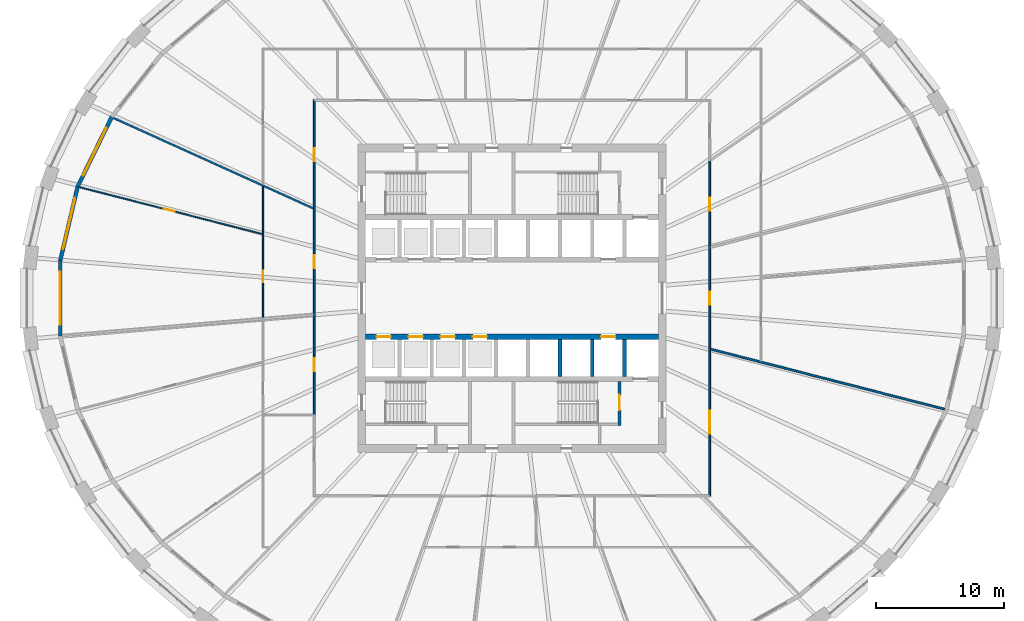
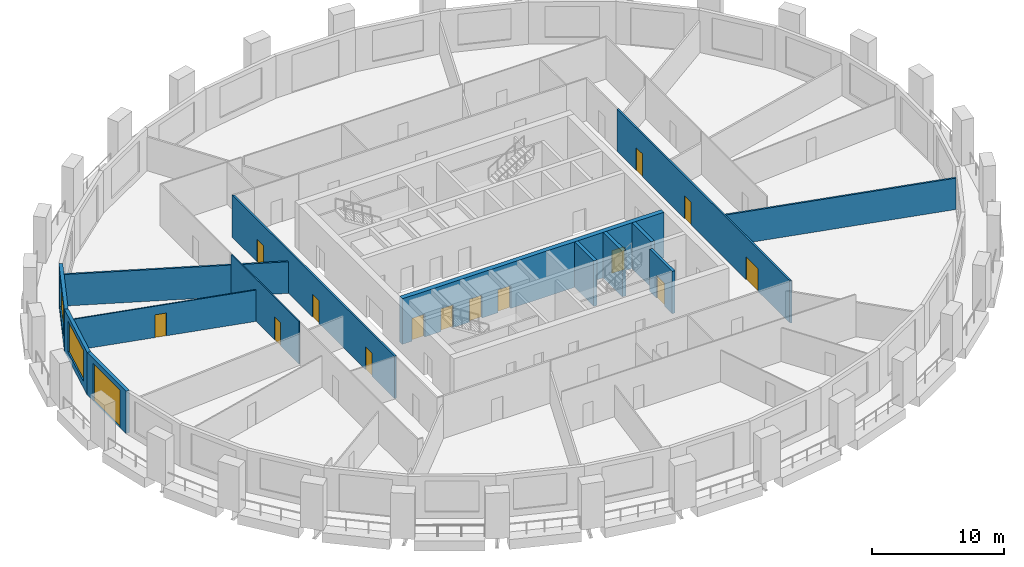
# One storey, part 5 of 12: 15 doors, 14 walls, 2 windows, 17 openings.
"""IFC4 building model written with IfcOpenShell, lengths in metres."""

from ifc_helpers import new_model, si_unit, direction, frame, frame_2d, origin, place, context, subcontext, project, spatial, polyline, rectangle, outline, extrude, material, layer, layer_set, type_object, element, fill, save


model = new_model("IFC4")

# Units and contexts
model_context = context("Model", 3, precision=1e-05, world=origin(), true_north=direction((0.0, 1.0)))
body_context = subcontext(model_context, "Body", "Model", "MODEL_VIEW")
ifc_project = project(units=[si_unit("LENGTHUNIT", "METRE"), si_unit("AREAUNIT", "SQUARE_METRE"), si_unit("VOLUMEUNIT", "CUBIC_METRE"), si_unit("PLANEANGLEUNIT", "RADIAN"), si_unit("MASSUNIT", "GRAM", prefix="KILO")], contexts=[model_context])

# Site, building, storey
site_placement = place(None, origin())
site = spatial("IfcSite", under=ifc_project, at=site_placement, CompositionType="ELEMENT")
building_placement = place(site_placement, origin())
building = spatial("IfcBuilding", under=site, at=building_placement, Name="Halqa Exchange Tower", CompositionType="ELEMENT")
storey_placement = place(building_placement, frame((0.0, 0.0, 31.89990234375)))
storey = spatial("IfcBuildingStorey", under=building, at=storey_placement, Name="L06", CompositionType="ELEMENT", Elevation=31.89990234375)

# Wall
ifc_material_1 = material(Name="Fire-rated gypsum board")
ifc_layer_1 = layer(ifc_material_1, 0.14990234375)
ifc_layer_set_1 = layer_set([ifc_layer_1], Name="Fire-rated gypsum board")
wall_type_1 = type_object("IfcWallType", Name="Fire partition EI 60 150", PredefinedType="PARTITIONING", material=ifc_layer_set_1)
wall_1_placement = place(storey_placement, frame((-31.04541015625, 14.035888671875, 0.0), z_axis=(0.0, 0.0, 1.0), x_axis=(0.911148076593, -0.412079097407, 0.0)))
element("IfcWall", 1, at=wall_1_placement, inside=storey, type_object=wall_type_1, Name="L06-PWL-001", PredefinedType="PARTITIONING", context=body_context, shape_type="SweptSolid", body=[
    extrude(outline(polyline([(0.0, -0.074951171875), (1.83837890625, -0.074951171875), (3.676513671875, -0.074951171875), (5.514892578125, -0.074951171875), (7.35302734375, -0.074951171875), (9.19140625, -0.074951171875), (11.029541015625, -0.074951171875), (12.867919921875, -0.074951171875), (12.869384765625, -0.07421875), (12.869873046875, -0.074951171875), (14.287353515625, -0.074951171875), (15.705078125, -0.074951171875), (17.12255859375, -0.074951171875), (17.106201171875, -0.038330078125), (17.106201171875, -0.038330078125), (17.054931640625, 0.074951171875), (15.601806640625, 0.074951171875), (14.14892578125, 0.074951171875), (12.69580078125, 0.074951171875), (12.69287109375, 0.07373046875), (12.692138671875, 0.074951171875), (10.882080078125, 0.074951171875), (9.072021484375, 0.074951171875), (7.26171875, 0.074951171875), (5.45166015625, 0.074951171875), (3.6416015625, 0.074951171875), (1.831298828125, 0.074951171875), (0.021240234375, 0.074951171875), (0.00244140625, -0.0009765625), (0.0, -0.074951171875)])), origin(), (0.0, 0.0, 1.0), 2.91015625),
])

# Wall, openings, doors
wall_2_placement = place(storey_placement, frame((-15.39990234375, -9.090087890625, 0.0), z_axis=(0.0, 0.0, 1.0), x_axis=(0.0, 1.0, 0.0)))
wall_2 = element("IfcWall", 2, at=wall_2_placement, inside=storey, type_object=wall_type_1, Name="L06-PWL-015", PredefinedType="PARTITIONING", context=body_context, shape_type="SweptSolid", body=[
    extrude(outline(polyline([(0.0, -0.074951171875), (1.878173828125, -0.074951171875), (3.756103515625, -0.074951171875), (5.63427734375, -0.074951171875), (7.51220703125, -0.074951171875), (9.390380859375, -0.074951171875), (11.2685546875, -0.074951171875), (13.146484375, -0.074951171875), (15.024658203125, -0.074951171875), (16.90283203125, -0.074951171875), (18.78076171875, -0.074951171875), (20.658935546875, -0.074951171875), (22.536865234375, -0.074951171875), (24.4150390625, -0.074951171875), (24.56494140625, 0.074951171875), (22.67529296875, 0.074951171875), (20.78564453125, 0.074951171875), (18.89599609375, 0.074951171875), (17.006591796875, 0.074951171875), (15.116943359375, 0.074951171875), (13.227294921875, 0.074951171875), (11.337646484375, 0.074951171875), (9.447998046875, 0.074951171875), (7.558349609375, 0.074951171875), (5.6689453125, 0.074951171875), (3.779296875, 0.074951171875), (1.8896484375, 0.074951171875), (0.0, 0.074951171875), (0.0, -0.074951171875)])), origin(), (0.0, 0.0, 1.0), 3.900146484375),
])
opening_1_placement = place(wall_2_placement, frame((19.77001953125, 0.0, 0.0)))
opening_1 = element("IfcOpeningElement", 3, at=opening_1_placement, cuts=wall_2, Name="Opening 01-08", PredefinedType="OPENING", context=body_context, shape_type="SweptSolid", body=[
    extrude(rectangle(XDim=1.0, YDim=2.10009765625, at=frame_2d((0.5, 1.050048828125))), frame((0.0, 0.0869140625, 0.0), z_axis=(0.0, -1.0, 0.0), x_axis=(1.0, 0.0, 0.0)), (0.0, 0.0, 1.0), 0.173828125),
])
opening_2_placement = place(wall_2_placement, frame((11.429931640625, 0.0, 0.0)))
opening_2 = element("IfcOpeningElement", 4, at=opening_2_placement, cuts=wall_2, Name="Opening 01-10", PredefinedType="OPENING", context=body_context, shape_type="SweptSolid", body=[
    extrude(rectangle(XDim=1.0, YDim=2.10009765625, at=frame_2d((0.5, 1.050048828125))), frame((0.0, 0.0869140625, 0.0), z_axis=(0.0, -1.0, 0.0), x_axis=(1.0, 0.0, 0.0)), (0.0, 0.0, 1.0), 0.173828125),
])
opening_3_placement = place(wall_2_placement, frame((3.405029296875, 0.0, 0.0)))
opening_3 = element("IfcOpeningElement", 5, at=opening_3_placement, cuts=wall_2, Name="Opening 01-12", PredefinedType="OPENING", context=body_context, shape_type="SweptSolid", body=[
    extrude(rectangle(XDim=1.0, YDim=2.10009765625, at=frame_2d((0.5, 1.050048828125))), frame((0.0, 0.0869140625, 0.0), z_axis=(0.0, -1.0, 0.0), x_axis=(1.0, 0.0, 0.0)), (0.0, 0.0, 1.0), 0.173828125),
])
ifc_material_2 = material(Name="Steel fire door leaf", Category="steel")
door_type_1 = type_object("IfcDoorType", Name="Fire door FD30S 1000 x 2100", OperationType="SINGLE_SWING_LEFT", PredefinedType="DOOR", material=ifc_material_2)
door_1_placement = place(opening_1_placement, origin())
door_1 = element("IfcDoor", 6, at=door_1_placement, inside=storey, type_object=door_type_1, Name="L06-IDR-008", OperationType="SINGLE_SWING_RIGHT", OverallHeight=2.10009765625, OverallWidth=1.0, PredefinedType="DOOR", context=body_context, shape_type="SweptSolid", body=[
    extrude(rectangle(XDim=1.0, YDim=2.10009765625, at=frame_2d((0.5, 1.050048828125))), frame((0.0, 0.02490234375, 0.0), z_axis=(0.0, -1.0, 0.0), x_axis=(1.0, 0.0, 0.0)), (0.0, 0.0, 1.0), 0.050048828125),
])
fill(opening_1, door_1)
door_2_placement = place(opening_2_placement, origin())
door_2 = element("IfcDoor", 7, at=door_2_placement, inside=storey, type_object=door_type_1, Name="L06-IDR-010", OperationType="SINGLE_SWING_RIGHT", OverallHeight=2.10009765625, OverallWidth=1.0, PredefinedType="DOOR", context=body_context, shape_type="SweptSolid", body=[
    extrude(rectangle(XDim=1.0, YDim=2.10009765625, at=frame_2d((0.5, 1.050048828125))), frame((0.0, 0.02490234375, 0.0), z_axis=(0.0, -1.0, 0.0), x_axis=(1.0, 0.0, 0.0)), (0.0, 0.0, 1.0), 0.050048828125),
])
fill(opening_2, door_2)
door_3_placement = place(opening_3_placement, origin())
door_3 = element("IfcDoor", 8, at=door_3_placement, inside=storey, type_object=door_type_1, Name="L06-IDR-012", OperationType="SINGLE_SWING_RIGHT", OverallHeight=2.10009765625, OverallWidth=1.0, PredefinedType="DOOR", context=body_context, shape_type="SweptSolid", body=[
    extrude(rectangle(XDim=1.0, YDim=2.10009765625, at=frame_2d((0.5, 1.050048828125))), frame((0.0, 0.02490234375, 0.0), z_axis=(0.0, -1.0, 0.0), x_axis=(1.0, 0.0, 0.0)), (0.0, 0.0, 1.0), 0.050048828125),
])
fill(opening_3, door_3)

wall_3_placement = place(storey_placement, frame((15.39990234375, -15.47509765625, 0.0), z_axis=(0.0, 0.0, 1.0), x_axis=(0.0, 1.0, 0.0)))
wall_3 = element("IfcWall", 9, at=wall_3_placement, inside=storey, type_object=wall_type_1, Name="L06-PWL-039", PredefinedType="PARTITIONING", context=body_context, shape_type="SweptSolid", body=[
    extrude(outline(polyline([(26.1650390625, 0.074951171875), (24.306884765625, 0.074951171875), (22.44873046875, 0.074951171875), (20.59033203125, 0.074951171875), (18.732177734375, 0.074951171875), (16.8740234375, 0.074951171875), (15.015869140625, 0.074951171875), (13.15771484375, 0.074951171875), (11.29931640625, 0.074951171875), (9.441162109375, 0.074951171875), (7.5830078125, 0.074951171875), (5.724853515625, 0.074951171875), (3.866455078125, 0.074951171875), (2.00830078125, 0.074951171875), (0.150146484375, 0.074951171875), (0.000244140625, -0.074951171875), (1.869140625, -0.074951171875), (3.738037109375, -0.074951171875), (5.60693359375, -0.074951171875), (7.475830078125, -0.074951171875), (9.3447265625, -0.074951171875), (11.213623046875, -0.074951171875), (13.08251953125, -0.074951171875), (14.95166015625, -0.074951171875), (16.820556640625, -0.074951171875), (18.689453125, -0.074951171875), (20.558349609375, -0.074951171875), (22.42724609375, -0.074951171875), (24.296142578125, -0.074951171875), (26.1650390625, -0.074951171875), (26.1650390625, 0.074951171875)])), origin(), (0.0, 0.0, 1.0), 3.900146484375),
])
opening_4_placement = place(wall_3_placement, frame((4.89990234375, 0.0, 0.0)))
opening_4 = element("IfcOpeningElement", 10, at=opening_4_placement, cuts=wall_3, Name="Opening 01-01", PredefinedType="OPENING", context=body_context, shape_type="SweptSolid", body=[
    extrude(rectangle(XDim=1.800048828125, YDim=2.10009765625, at=frame_2d((0.89990234375, 1.050048828125))), frame((0.0, 0.0869140625, 0.0), z_axis=(0.0, -1.0, 0.0), x_axis=(1.0, 0.0, 0.0)), (0.0, 0.0, 1.0), 0.173828125),
])
opening_5_placement = place(wall_3_placement, frame((14.97509765625, 0.0, 0.0)))
opening_5 = element("IfcOpeningElement", 11, at=opening_5_placement, cuts=wall_3, Name="Opening 01-02", PredefinedType="OPENING", context=body_context, shape_type="SweptSolid", body=[
    extrude(rectangle(XDim=1.0, YDim=2.10009765625, at=frame_2d((0.5, 1.050048828125))), frame((0.0, 0.0869140625, 0.0), z_axis=(0.0, -1.0, 0.0), x_axis=(1.0, 0.0, 0.0)), (0.0, 0.0, 1.0), 0.173828125),
])
opening_6_placement = place(wall_3_placement, frame((22.294921875, 0.0, 0.0)))
opening_6 = element("IfcOpeningElement", 12, at=opening_6_placement, cuts=wall_3, Name="Opening 01-03", PredefinedType="OPENING", context=body_context, shape_type="SweptSolid", body=[
    extrude(rectangle(XDim=1.0, YDim=2.10009765625, at=frame_2d((0.5, 1.050048828125))), frame((0.0, 0.0869140625, 0.0), z_axis=(0.0, -1.0, 0.0), x_axis=(1.0, 0.0, 0.0)), (0.0, 0.0, 1.0), 0.173828125),
])
door_4_placement = place(opening_5_placement, frame((1.0, 0.0, 0.0), z_axis=(0.0, 0.0, 1.0), x_axis=(-1.0, 0.0, 0.0)))
door_4 = element("IfcDoor", 13, at=door_4_placement, inside=storey, type_object=door_type_1, Name="L06-IDR-002", OperationType="SINGLE_SWING_RIGHT", OverallHeight=2.10009765625, OverallWidth=1.0, PredefinedType="DOOR", context=body_context, shape_type="SweptSolid", body=[
    extrude(rectangle(XDim=1.0, YDim=2.10009765625, at=frame_2d((0.5, 1.050048828125))), frame((0.0, 0.02490234375, 0.0), z_axis=(0.0, -1.0, 0.0), x_axis=(1.0, 0.0, 0.0)), (0.0, 0.0, 1.0), 0.050048828125),
])
fill(opening_5, door_4)
door_5_placement = place(opening_6_placement, frame((1.0, 0.0, 0.0), z_axis=(0.0, 0.0, 1.0), x_axis=(-1.0, 0.0, 0.0)))
door_5 = element("IfcDoor", 14, at=door_5_placement, inside=storey, type_object=door_type_1, Name="L06-IDR-003", OperationType="SINGLE_SWING_RIGHT", OverallHeight=2.10009765625, OverallWidth=1.0, PredefinedType="DOOR", context=body_context, shape_type="SweptSolid", body=[
    extrude(rectangle(XDim=1.0, YDim=2.10009765625, at=frame_2d((0.5, 1.050048828125))), frame((0.0, 0.02490234375, 0.0), z_axis=(0.0, -1.0, 0.0), x_axis=(1.0, 0.0, 0.0)), (0.0, 0.0, 1.0), 0.050048828125),
])
fill(opening_6, door_5)
door_type_2 = type_object("IfcDoorType", Name="Fire door FD30S double 1800 x 2100", OperationType="DOUBLE_DOOR_SINGLE_SWING", PredefinedType="DOOR", material=ifc_material_2)
door_6_placement = place(opening_4_placement, frame((1.800048828125, 0.0, 0.0), z_axis=(0.0, 0.0, 1.0), x_axis=(-1.0, 0.0, 0.0)))
door_6 = element("IfcDoor", 15, at=door_6_placement, inside=storey, type_object=door_type_2, Name="L06-IDR-001", OperationType="DOUBLE_DOOR_SINGLE_SWING", OverallHeight=2.10009765625, OverallWidth=1.800048828125, PredefinedType="DOOR", context=body_context, shape_type="SweptSolid", body=[
    extrude(rectangle(XDim=1.800048828125, YDim=2.10009765625, at=frame_2d((0.89990234375, 1.050048828125))), frame((0.0, 0.02490234375, 0.0), z_axis=(0.0, -1.0, 0.0), x_axis=(1.0, 0.0, 0.0)), (0.0, 0.0, 1.0), 0.050048828125),
])
fill(opening_4, door_6)

# Wall
wall_4_placement = place(storey_placement, frame((15.456787109375, -3.964599609375, 0.0), z_axis=(0.0, 0.0, 1.0), x_axis=(0.968588981289, -0.248667218036, 0.0)))
element("IfcWall", 16, at=wall_4_placement, inside=storey, type_object=wall_type_1, Name="L06-PWL-040", PredefinedType="PARTITIONING", context=body_context, shape_type="SweptSolid", body=[
    extrude(outline(polyline([(0.0380859375, -0.074951171875), (1.91455078125, -0.074951171875), (3.790771484375, -0.074951171875), (5.667236328125, -0.074951171875), (7.543701171875, -0.074951171875), (9.420166015625, -0.074951171875), (11.296630859375, -0.074951171875), (13.1728515625, -0.074951171875), (15.04931640625, -0.074951171875), (16.92578125, -0.074951171875), (18.80224609375, -0.074951171875), (18.816162109375, -0.007568359375), (18.816162109375, 0.074951171875), (16.964599609375, 0.074951171875), (15.113037109375, 0.074951171875), (13.26123046875, 0.074951171875), (11.40966796875, 0.074951171875), (9.55810546875, 0.074951171875), (7.70654296875, 0.074951171875), (5.85498046875, 0.074951171875), (4.00341796875, 0.074951171875), (4.00048828125, 0.07421875), (4.000244140625, 0.074951171875), (2.666748046875, 0.074951171875), (1.33349609375, 0.074951171875), (0.0, 0.074951171875), (0.0, 0.0732421875), (0.0380859375, -0.074951171875)])), origin(), (0.0, 0.0, 1.0), 2.89208984375),
])

# Wall, opening, door
ifc_material_3 = material(Name="Gypsum board")
ifc_layer_2 = layer(ifc_material_3, 0.10009765625)
ifc_layer_set_2 = layer_set([ifc_layer_2], Name="Gypsum board")
wall_type_2 = type_object("IfcWallType", Name="Partition 100 gypsum", PredefinedType="PARTITIONING", material=ifc_layer_set_2)
wall_5_placement = place(storey_placement, frame((-19.39990234375, -1.53857421875, 0.0), z_axis=(0.0, 0.0, 1.0), x_axis=(0.0, 1.0, 0.0)))
wall_5 = element("IfcWall", 17, at=wall_5_placement, inside=storey, type_object=wall_type_2, Name="L06-PWL-008", PredefinedType="PARTITIONING", context=body_context, shape_type="SweptSolid", body=[
    extrude(outline(polyline([(0.008056640625, -0.050048828125), (1.70703125, -0.050048828125), (3.40625, -0.050048828125), (5.105224609375, -0.050048828125), (6.804443359375, -0.050048828125), (8.50341796875, -0.050048828125), (10.20263671875, -0.050048828125), (10.24755859375, 0.04931640625), (10.24755859375, 0.050048828125), (8.415283203125, 0.050048828125), (6.5830078125, 0.050048828125), (6.58251953125, 0.048095703125), (6.575439453125, 0.050048828125), (4.931640625, 0.050048828125), (3.28759765625, 0.050048828125), (1.643798828125, 0.050048828125), (0.0, 0.050048828125), (0.0, 0.046142578125), (0.008056640625, -0.050048828125)])), origin(), (0.0, 0.0, 1.0), 3.900146484375),
])
opening_7_placement = place(wall_5_placement, frame((2.7734375, 0.0, 0.0)))
opening_7 = element("IfcOpeningElement", 18, at=opening_7_placement, cuts=wall_5, Name="Opening 01-23", PredefinedType="OPENING", context=body_context, shape_type="SweptSolid", body=[
    extrude(rectangle(XDim=0.89990234375, YDim=2.10009765625, at=frame_2d((0.449951171875, 1.050048828125))), frame((0.0, 0.06201171875, 0.0), z_axis=(0.0, -1.0, 0.0), x_axis=(1.0, 0.0, 0.0)), (0.0, 0.0, 1.0), 0.1240234375),
])
ifc_material_4 = material(Name="Timber door leaf", Category="wood")
door_type_3 = type_object("IfcDoorType", Name="Door 900 x 2100", OperationType="SINGLE_SWING_LEFT", PredefinedType="DOOR", material=ifc_material_4)
door_7_placement = place(opening_7_placement, frame((0.89990234375, 0.0, 0.0), z_axis=(0.0, 0.0, 1.0), x_axis=(-1.0, 0.0, 0.0)))
door_7 = element("IfcDoor", 19, at=door_7_placement, inside=storey, type_object=door_type_3, Name="L06-IDR-023", OperationType="SINGLE_SWING_LEFT", OverallHeight=2.10009765625, OverallWidth=0.89990234375, PredefinedType="DOOR", context=body_context, shape_type="SweptSolid", body=[
    extrude(rectangle(XDim=0.89990234375, YDim=2.10009765625, at=frame_2d((0.449951171875, 1.050048828125))), frame((0.0, 0.02490234375, 0.0), z_axis=(0.0, -1.0, 0.0), x_axis=(1.0, 0.0, 0.0)), (0.0, 0.0, 1.0), 0.050048828125),
])
fill(opening_7, door_7)

wall_6_placement = place(storey_placement, frame((-19.437744140625, 4.98974609375, 0.0), z_axis=(0.0, 0.0, 1.0), x_axis=(-0.968638974519, 0.248472407007, 0.0)))
wall_6 = element("IfcWall", 20, at=wall_6_placement, inside=storey, type_object=wall_type_2, Name="L06-PWL-009", PredefinedType="PARTITIONING", context=body_context, shape_type="SweptSolid", body=[
    extrude(outline(polyline([(0.025390625, -0.050048828125), (1.859375, -0.050048828125), (3.693359375, -0.050048828125), (5.527099609375, -0.050048828125), (7.361083984375, -0.050048828125), (9.19482421875, -0.050048828125), (11.02880859375, -0.050048828125), (12.862548828125, -0.050048828125), (14.696533203125, -0.050048828125), (14.7060546875, -0.004150390625), (14.7060546875, 0.050048828125), (12.86767578125, 0.050048828125), (11.029541015625, 0.050048828125), (9.19140625, 0.050048828125), (7.35302734375, 0.050048828125), (5.5146484375, 0.050048828125), (3.676513671875, 0.050048828125), (1.83837890625, 0.050048828125), (0.0, 0.050048828125), (0.0, 0.04931640625), (0.025390625, -0.050048828125)])), origin(), (0.0, 0.0, 1.0), 2.89208984375),
])
opening_8_placement = place(wall_6_placement, frame((7.037109375, 0.0, 0.0)))
opening_8 = element("IfcOpeningElement", 21, at=opening_8_placement, cuts=wall_6, Name="Opening 01-24", PredefinedType="OPENING", context=body_context, shape_type="SweptSolid", body=[
    extrude(rectangle(XDim=0.89990234375, YDim=2.10009765625, at=frame_2d((0.449951171875, 1.050048828125))), frame((0.0, 0.06201171875, 0.0), z_axis=(0.0, -1.0, 0.0), x_axis=(1.0, 0.0, 0.0)), (0.0, 0.0, 1.0), 0.1240234375),
])
door_8_placement = place(opening_8_placement, frame((0.89990234375, 0.0, 0.0), z_axis=(0.0, 0.0, 1.0), x_axis=(-1.0, 0.0, 0.0)))
door_8 = element("IfcDoor", 22, at=door_8_placement, inside=storey, type_object=door_type_3, Name="L06-IDR-024", OperationType="SINGLE_SWING_LEFT", OverallHeight=2.10009765625, OverallWidth=0.89990234375, PredefinedType="DOOR", context=body_context, shape_type="SweptSolid", body=[
    extrude(rectangle(XDim=0.89990234375, YDim=2.10009765625, at=frame_2d((0.449951171875, 1.050048828125))), frame((0.0, 0.02490234375, 0.0), z_axis=(0.0, -1.0, 0.0), x_axis=(1.0, 0.0, 0.0)), (0.0, 0.0, 1.0), 0.050048828125),
])
fill(opening_8, door_8)

# Walls
ifc_material_5 = material(Name="Concrete C60/75", Category="concrete")
ifc_layer_3 = layer(ifc_material_5, 0.300048828125)
ifc_layer_set_3 = layer_set([ifc_layer_3], Name="Concrete C60/75")
wall_type_3 = type_object("IfcWallType", Name="RC core wall 300", PredefinedType="SHEAR", material=ifc_layer_set_3)
for number, where, z_axis, x_axis, name in (
    (23, (3.75, -6.10009765625, 0.0), (0.0, 0.0, 1.0), (0.0, 1.0, 0.0), "Shaft divider S6"),
    (24, (6.25, -6.10009765625, 0.0), (0.0, 0.0, 1.0), (0.0, 1.0, 0.0), "Shaft divider S7"),
    (25, (8.75, -6.10009765625, 0.0), (0.0, 0.0, 1.0), (0.0, 1.0, 0.0), "Shaft divider S8"),
):
    element("IfcWall", number, at=place(storey_placement, frame(where, z_axis=z_axis, x_axis=x_axis)), inside=storey, type_object=wall_type_3, Name=name, PredefinedType="SHEAR", context=body_context, shape_type="SweptSolid", body=[
        extrude(rectangle(XDim=2.900146484375, YDim=0.300048828125, at=frame_2d((1.4501953125, 0.0))), origin(), (0.0, 0.0, 1.0), 4.2001953125),
    ])

# Wall, openings, doors
ifc_material_6 = material(Name="Concrete C80/95", Category="concrete")
ifc_layer_4 = layer(ifc_material_6, 0.39990234375)
ifc_layer_set_4 = layer_set([ifc_layer_4], Name="Concrete C80/95")
wall_type_4 = type_object("IfcWallType", Name="RC core wall 400 C80/95", PredefinedType="SHEAR", material=ifc_layer_set_4)
wall_7_placement = place(storey_placement, frame((-11.39990234375, -3.0, 0.0), z_axis=(0.0, 0.0, 1.0), x_axis=(1.0, 0.0, 0.0)))
wall_7 = element("IfcWall", 26, at=wall_7_placement, inside=storey, type_object=wall_type_4, Name="Lift row front wall S", PredefinedType="SHEAR", context=body_context, shape_type="SweptSolid", body=[
    extrude(rectangle(XDim=22.7998046875, YDim=0.39990234375, at=frame_2d((11.39990234375, 0.0))), origin(), (0.0, 0.0, 1.0), 4.2001953125),
])
opening_9_placement = place(wall_7_placement, frame((0.85009765625, 0.0, 0.0)))
opening_9 = element("IfcOpeningElement", 27, at=opening_9_placement, cuts=wall_7, Name="Opening LD-LR5-T01", PredefinedType="OPENING", context=body_context, shape_type="SweptSolid", body=[
    extrude(rectangle(XDim=1.10009765625, YDim=2.10009765625, at=frame_2d((0.550048828125, 1.050048828125))), frame((0.0, 0.2119140625, 0.0), z_axis=(0.0, -1.0, 0.0), x_axis=(1.0, 0.0, 0.0)), (0.0, 0.0, 1.0), 0.423828125),
])
opening_10_placement = place(wall_7_placement, frame((3.35009765625, 0.0, 0.0)))
opening_10 = element("IfcOpeningElement", 28, at=opening_10_placement, cuts=wall_7, Name="Opening LD-LR6-T01", PredefinedType="OPENING", context=body_context, shape_type="SweptSolid", body=[
    extrude(rectangle(XDim=1.10009765625, YDim=2.10009765625, at=frame_2d((0.550048828125, 1.050048828125))), frame((0.0, 0.2119140625, 0.0), z_axis=(0.0, -1.0, 0.0), x_axis=(1.0, 0.0, 0.0)), (0.0, 0.0, 1.0), 0.423828125),
])
opening_11_placement = place(wall_7_placement, frame((5.85009765625, 0.0, 0.0)))
opening_11 = element("IfcOpeningElement", 29, at=opening_11_placement, cuts=wall_7, Name="Opening LD-LR7-T01", PredefinedType="OPENING", context=body_context, shape_type="SweptSolid", body=[
    extrude(rectangle(XDim=1.10009765625, YDim=2.10009765625, at=frame_2d((0.550048828125, 1.050048828125))), frame((0.0, 0.2119140625, 0.0), z_axis=(0.0, -1.0, 0.0), x_axis=(1.0, 0.0, 0.0)), (0.0, 0.0, 1.0), 0.423828125),
])
opening_12_placement = place(wall_7_placement, frame((8.35009765625, 0.0, 0.0)))
opening_12 = element("IfcOpeningElement", 30, at=opening_12_placement, cuts=wall_7, Name="Opening LD-LR8-T01", PredefinedType="OPENING", context=body_context, shape_type="SweptSolid", body=[
    extrude(rectangle(XDim=1.10009765625, YDim=2.10009765625, at=frame_2d((0.550048828125, 1.050048828125))), frame((0.0, 0.2119140625, 0.0), z_axis=(0.0, -1.0, 0.0), x_axis=(1.0, 0.0, 0.0)), (0.0, 0.0, 1.0), 0.423828125),
])
opening_13_placement = place(wall_7_placement, frame((18.35009765625, 0.0, 0.0)))
opening_13 = element("IfcOpeningElement", 31, at=opening_13_placement, cuts=wall_7, Name="Opening LD-SV2-T01", PredefinedType="OPENING", context=body_context, shape_type="SweptSolid", body=[
    extrude(rectangle(XDim=1.10009765625, YDim=2.10009765625, at=frame_2d((0.550048828125, 1.050048828125))), frame((0.0, 0.2119140625, 0.0), z_axis=(0.0, -1.0, 0.0), x_axis=(1.0, 0.0, 0.0)), (0.0, 0.0, 1.0), 0.423828125),
])
ifc_material_7 = material(Name="Stainless steel", Category="steel")
door_type_4 = type_object("IfcDoorType", Name="Lift landing door 1100 x 2100", OperationType="SLIDING_TO_LEFT", PredefinedType="DOOR", material=ifc_material_7)
door_9_placement = place(opening_9_placement, origin())
door_9 = element("IfcDoor", 32, at=door_9_placement, inside=storey, type_object=door_type_4, Name="Lift landing door LR5", OperationType="SLIDING_TO_LEFT", OverallHeight=2.10009765625, OverallWidth=1.10009765625, PredefinedType="DOOR", context=body_context, shape_type="SweptSolid", body=[
    extrude(rectangle(XDim=1.10009765625, YDim=2.10009765625, at=frame_2d((0.550048828125, 1.050048828125))), frame((0.0, 0.02490234375, 0.0), z_axis=(0.0, -1.0, 0.0), x_axis=(1.0, 0.0, 0.0)), (0.0, 0.0, 1.0), 0.050048828125),
])
fill(opening_9, door_9)
door_10_placement = place(opening_10_placement, origin())
door_10 = element("IfcDoor", 33, at=door_10_placement, inside=storey, type_object=door_type_4, Name="Lift landing door LR6", OperationType="SLIDING_TO_LEFT", OverallHeight=2.10009765625, OverallWidth=1.10009765625, PredefinedType="DOOR", context=body_context, shape_type="SweptSolid", body=[
    extrude(rectangle(XDim=1.10009765625, YDim=2.10009765625, at=frame_2d((0.550048828125, 1.050048828125))), frame((0.0, 0.02490234375, 0.0), z_axis=(0.0, -1.0, 0.0), x_axis=(1.0, 0.0, 0.0)), (0.0, 0.0, 1.0), 0.050048828125),
])
fill(opening_10, door_10)
door_11_placement = place(opening_11_placement, origin())
door_11 = element("IfcDoor", 34, at=door_11_placement, inside=storey, type_object=door_type_4, Name="Lift landing door LR7", OperationType="SLIDING_TO_LEFT", OverallHeight=2.10009765625, OverallWidth=1.10009765625, PredefinedType="DOOR", context=body_context, shape_type="SweptSolid", body=[
    extrude(rectangle(XDim=1.10009765625, YDim=2.10009765625, at=frame_2d((0.550048828125, 1.050048828125))), frame((0.0, 0.02490234375, 0.0), z_axis=(0.0, -1.0, 0.0), x_axis=(1.0, 0.0, 0.0)), (0.0, 0.0, 1.0), 0.050048828125),
])
fill(opening_11, door_11)
door_12_placement = place(opening_12_placement, origin())
door_12 = element("IfcDoor", 35, at=door_12_placement, inside=storey, type_object=door_type_4, Name="Lift landing door LR8", OperationType="SLIDING_TO_LEFT", OverallHeight=2.10009765625, OverallWidth=1.10009765625, PredefinedType="DOOR", context=body_context, shape_type="SweptSolid", body=[
    extrude(rectangle(XDim=1.10009765625, YDim=2.10009765625, at=frame_2d((0.550048828125, 1.050048828125))), frame((0.0, 0.02490234375, 0.0), z_axis=(0.0, -1.0, 0.0), x_axis=(1.0, 0.0, 0.0)), (0.0, 0.0, 1.0), 0.050048828125),
])
fill(opening_12, door_12)
door_13_placement = place(opening_13_placement, origin())
door_13 = element("IfcDoor", 36, at=door_13_placement, inside=storey, type_object=door_type_4, Name="Lift landing door SV2", OperationType="SLIDING_TO_LEFT", OverallHeight=2.10009765625, OverallWidth=1.10009765625, PredefinedType="DOOR", context=body_context, shape_type="SweptSolid", body=[
    extrude(rectangle(XDim=1.10009765625, YDim=2.10009765625, at=frame_2d((0.550048828125, 1.050048828125))), frame((0.0, 0.02490234375, 0.0), z_axis=(0.0, -1.0, 0.0), x_axis=(1.0, 0.0, 0.0)), (0.0, 0.0, 1.0), 0.050048828125),
])
fill(opening_13, door_13)

# Wall, opening, door
ifc_material_8 = material(Name="Concrete C30/37", Category="concrete")
ifc_layer_5 = layer(ifc_material_8, 0.25)
ifc_layer_set_5 = layer_set([ifc_layer_5], Name="Concrete C30/37")
wall_type_5 = type_object("IfcWallType", Name="RC stair wall 250 C30/37", PredefinedType="SHEAR", material=ifc_layer_set_5)
wall_8_placement = place(storey_placement, frame((8.375, -9.89990234375, 0.0), z_axis=(0.0, 0.0, 1.0), x_axis=(0.0, 1.0, 0.0)))
wall_8 = element("IfcWall", 37, at=wall_8_placement, inside=storey, type_object=wall_type_5, Name="Stair ST2 east wall S", PredefinedType="SHEAR", context=body_context, shape_type="SweptSolid", body=[
    extrude(rectangle(XDim=3.39990234375, YDim=0.25, at=frame_2d((1.699951171875, 0.0))), origin(), (0.0, 0.0, 1.0), 3.900146484375),
])
opening_14_placement = place(wall_8_placement, frame((1.175048828125, 0.0, 0.0)))
opening_14 = element("IfcOpeningElement", 38, at=opening_14_placement, cuts=wall_8, Name="Opening T01-C18", PredefinedType="OPENING", context=body_context, shape_type="SweptSolid", body=[
    extrude(rectangle(XDim=1.199951171875, YDim=2.10009765625, at=frame_2d((0.60009765625, 1.050048828125))), frame((0.0, 0.136962890625, 0.0), z_axis=(0.0, -1.0, 0.0), x_axis=(1.0, 0.0, 0.0)), (0.0, 0.0, 1.0), 0.27392578125),
])
door_type_5 = type_object("IfcDoorType", Name="Stair door FD90 1200 x 2100", OperationType="SINGLE_SWING_LEFT", PredefinedType="DOOR", material=ifc_material_2)
door_14_placement = place(opening_14_placement, origin())
door_14 = element("IfcDoor", 39, at=door_14_placement, inside=storey, type_object=door_type_5, Name="Stair door ST4", OperationType="SINGLE_SWING_LEFT", OverallHeight=2.10009765625, OverallWidth=1.199951171875, PredefinedType="DOOR", context=body_context, shape_type="SweptSolid", body=[
    extrude(rectangle(XDim=1.199951171875, YDim=2.10009765625, at=frame_2d((0.60009765625, 1.050048828125))), frame((0.0, 0.02490234375, 0.0), z_axis=(0.0, -1.0, 0.0), x_axis=(1.0, 0.0, 0.0)), (0.0, 0.0, 1.0), 0.050048828125),
])
fill(opening_14, door_14)

# Wall, opening, window
ifc_material_9 = material(Name="Limestone cladding", Category="masonry")
ifc_layer_6 = layer(ifc_material_9, 0.0400390625)
ifc_material_10 = material(Name="Ventilated cavity")
ifc_layer_7 = layer(ifc_material_10, 0.030029296875, ventilated=True)
ifc_material_11 = material(Name="Mineral wool insulation")
ifc_layer_8 = layer(ifc_material_11, 0.10009765625)
ifc_layer_9 = layer(ifc_material_8, 0.10009765625)
ifc_material_12 = material(Name="Internal plaster")
ifc_layer_10 = layer(ifc_material_12, 0.030029296875)
ifc_layer_set_6 = layer_set([ifc_layer_6, ifc_layer_7, ifc_layer_8, ifc_layer_9, ifc_layer_10], Name="Stone-faced insulated wall 300")
wall_type_6 = type_object("IfcWallType", Name="Stone-faced insulated wall 300", PredefinedType="STANDARD", material=ifc_layer_set_6)
wall_9_placement = place(storey_placement, frame((-31.17138671875, 14.114501953125, 0.0), z_axis=(0.0, 0.0, 1.0), x_axis=(-0.439821516427, -0.898085204025, 0.0)))
wall_9 = element("IfcWall", 40, at=wall_9_placement, inside=storey, type_object=wall_type_6, Name="Glass-line wall 14", PredefinedType="STANDARD", context=body_context, shape_type="SweptSolid", body=[
    extrude(outline(polyline([(-0.01611328125, -0.14990234375), (6.053466796875, -0.14990234375), (6.019775390625, 0.14990234375), (0.01611328125, 0.14990234375), (-0.01611328125, -0.14990234375)])), origin(), (0.0, 0.0, 1.0), 3.900146484375),
])
opening_15_placement = place(wall_9_placement, frame((0.968505859375, 0.0, 0.60009765625)))
opening_15 = element("IfcOpeningElement", 41, at=opening_15_placement, cuts=wall_9, Name="Opening W-F1-14", PredefinedType="OPENING", context=body_context, shape_type="SweptSolid", body=[
    extrude(rectangle(XDim=4.10009765625, YDim=2.85009765625, at=frame_2d((2.050048828125, 1.425048828125))), frame((0.0, 0.162109375, 0.0), z_axis=(0.0, -1.0, 0.0), x_axis=(1.0, 0.0, 0.0)), (0.0, 0.0, 1.0), 0.323974609375),
])
ifc_material_13 = material(Name="Clear low-emissivity glass in aluminium frame", Category="aluminium")
window_type = type_object("IfcWindowType", Name="Fixed clear glazed window 4100 x 2850", PartitioningType="TRIPLE_PANEL_VERTICAL", PredefinedType="WINDOW", material=ifc_material_13)
window_1_placement = place(opening_15_placement, origin())
window_1 = element("IfcWindow", 42, at=window_1_placement, inside=storey, type_object=window_type, Name="Window 1", OverallHeight=2.85009765625, OverallWidth=4.10009765625, PartitioningType="TRIPLE_PANEL_VERTICAL", PredefinedType="WINDOW", context=body_context, shape_type="SweptSolid", body=[
    extrude(rectangle(XDim=4.10009765625, YDim=2.85009765625, at=frame_2d((2.050048828125, 1.425048828125))), frame((0.0, 0.030029296875, 0.0), z_axis=(0.0, -1.0, 0.0), x_axis=(1.0, 0.0, 0.0)), (0.0, 0.0, 1.0), 0.06005859375),
])
fill(opening_15, window_1)

wall_10_placement = place(storey_placement, frame((-33.826416015625, 8.693115234375, 0.0), z_axis=(0.0, 0.0, 1.0), x_axis=(-0.228924296831, -0.973444228665, 0.0)))
wall_10 = element("IfcWall", 43, at=wall_10_placement, inside=storey, type_object=wall_type_6, Name="Glass-line wall 15", PredefinedType="STANDARD", context=body_context, shape_type="SweptSolid", body=[
    extrude(outline(polyline([(-0.016845703125, -0.14990234375), (5.931884765625, -0.14990234375), (5.897216796875, 0.14990234375), (0.016845703125, 0.14990234375), (-0.016845703125, -0.14990234375)])), origin(), (0.0, 0.0, 1.0), 3.900146484375),
])
opening_16_placement = place(wall_10_placement, frame((0.9072265625, 0.0, 0.60009765625)))
opening_16 = element("IfcOpeningElement", 44, at=opening_16_placement, cuts=wall_10, Name="Opening W-F1-15", PredefinedType="OPENING", context=body_context, shape_type="SweptSolid", body=[
    extrude(rectangle(XDim=4.10009765625, YDim=2.85009765625, at=frame_2d((2.050048828125, 1.425048828125))), frame((0.0, 0.162109375, 0.0), z_axis=(0.0, -1.0, 0.0), x_axis=(1.0, 0.0, 0.0)), (0.0, 0.0, 1.0), 0.323974609375),
])
window_2_placement = place(opening_16_placement, origin())
window_2 = element("IfcWindow", 45, at=window_2_placement, inside=storey, type_object=window_type, Name="Window 1", OverallHeight=2.85009765625, OverallWidth=4.10009765625, PartitioningType="TRIPLE_PANEL_VERTICAL", PredefinedType="WINDOW", context=body_context, shape_type="SweptSolid", body=[
    extrude(rectangle(XDim=4.10009765625, YDim=2.85009765625, at=frame_2d((2.050048828125, 1.425048828125))), frame((0.0, 0.030029296875, 0.0), z_axis=(0.0, -1.0, 0.0), x_axis=(1.0, 0.0, 0.0)), (0.0, 0.0, 1.0), 0.06005859375),
])
fill(opening_16, window_2)

# Wall, opening, door
wall_11_placement = place(storey_placement, frame((-35.180419921875, 2.935546875, 0.0), z_axis=(0.0, 0.0, 1.0), x_axis=(0.0, -1.0, 0.0)))
wall_11 = element("IfcWall", 46, at=wall_11_placement, inside=storey, type_object=wall_type_6, Name="Glass-line wall 16", PredefinedType="STANDARD", context=body_context, shape_type="SweptSolid", body=[
    extrude(outline(polyline([(-0.017333984375, -0.14990234375), (5.888427734375, -0.14990234375), (5.853759765625, 0.14990234375), (0.017333984375, 0.14990234375), (-0.017333984375, -0.14990234375)])), origin(), (0.0, 0.0, 1.0), 3.900146484375),
])
opening_17_placement = place(wall_11_placement, frame((0.885498046875, 0.0, 0.0)))
opening_17 = element("IfcOpeningElement", 47, at=opening_17_placement, cuts=wall_11, Name="Opening LG-F1-04", PredefinedType="OPENING", context=body_context, shape_type="SweptSolid", body=[
    extrude(rectangle(XDim=4.10009765625, YDim=3.449951171875, at=frame_2d((2.050048828125, 1.72509765625))), frame((0.0, 0.162109375, 0.0), z_axis=(0.0, -1.0, 0.0), x_axis=(1.0, 0.0, 0.0)), (0.0, 0.0, 1.0), 0.323974609375),
])
door_type_6 = type_object("IfcDoorType", Name="Glazed sliding loggia door 4100 x 3450", OperationType="DOUBLE_DOOR_SLIDING", PredefinedType="DOOR", material=ifc_material_13)
door_15_placement = place(opening_17_placement, origin())
door_15 = element("IfcDoor", 48, at=door_15_placement, inside=storey, type_object=door_type_6, Name="Loggia door 4", OperationType="DOUBLE_DOOR_SLIDING", OverallHeight=3.449951171875, OverallWidth=4.10009765625, PredefinedType="DOOR", context=body_context, shape_type="SweptSolid", body=[
    extrude(rectangle(XDim=4.10009765625, YDim=3.449951171875, at=frame_2d((2.050048828125, 1.72509765625))), frame((0.0, 0.02490234375, 0.0), z_axis=(0.0, -1.0, 0.0), x_axis=(1.0, 0.0, 0.0)), (0.0, 0.0, 1.0), 0.050048828125),
])
fill(opening_17, door_15)

save(model, "model.ifc")
